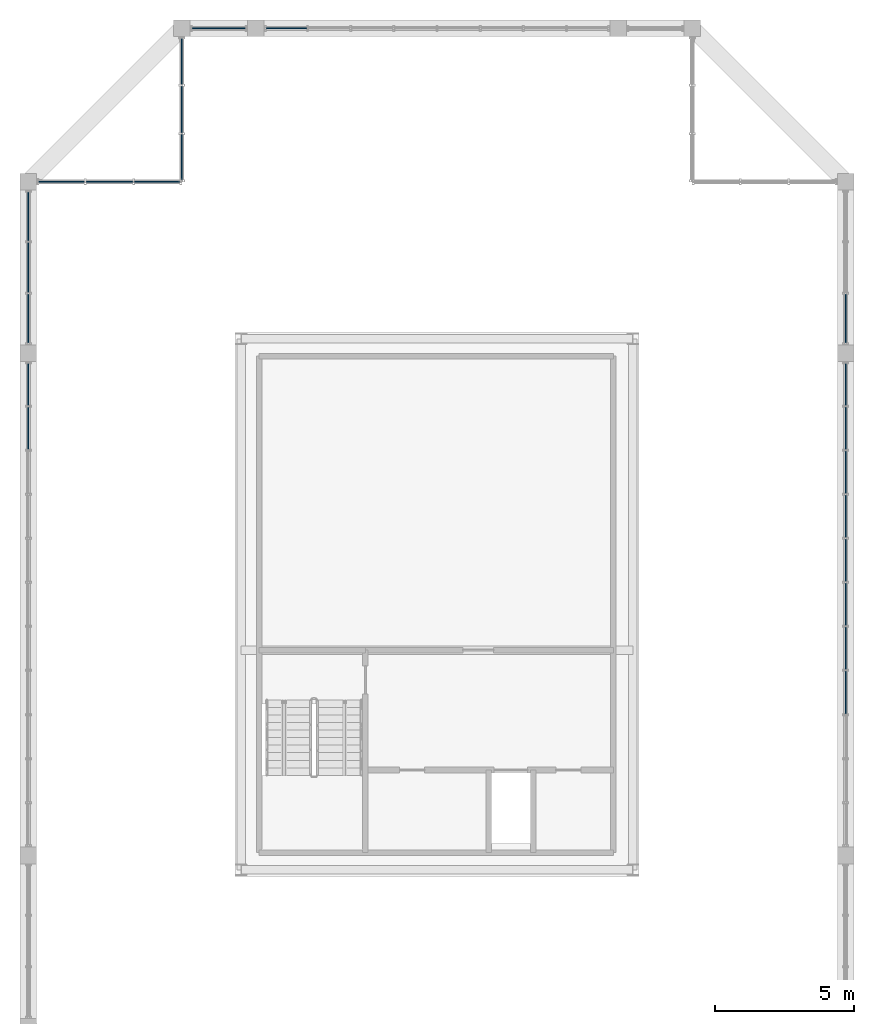
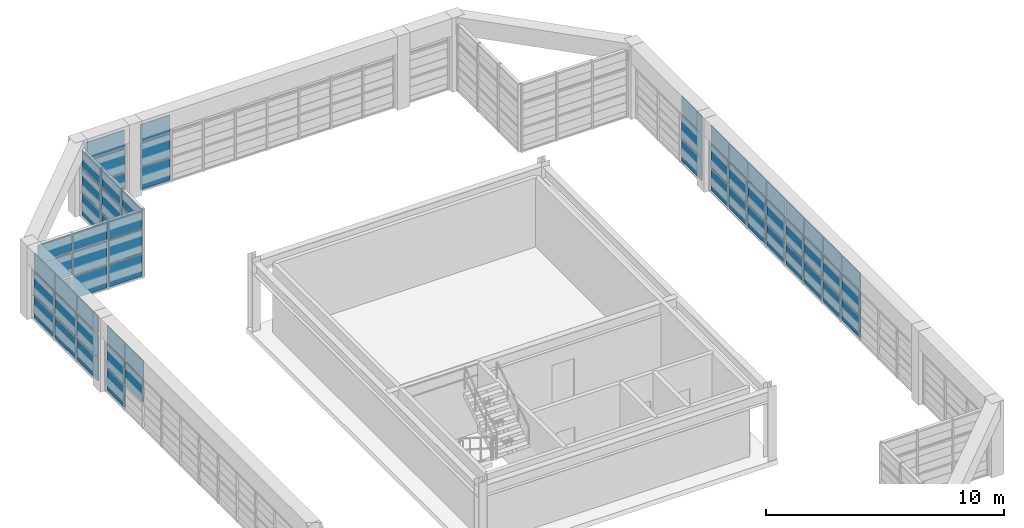
# One storey, part 22 of 27: 65 plates, 8 elements without a shape of their own.
"""IFC4 building model written with IfcOpenShell, lengths in metres."""

from ifc_helpers import new_model, si_unit, direction, frame, origin, origin_2d, place, context, subcontext, project, spatial, rectangle, extrude, source, transform, mapped, material, layer, layer_set, type_object, element, aggregate, save


model = new_model("IFC4")

# Units and contexts
model_context = context("Model", 3, precision=1e-05, world=origin(), true_north=direction((0.0, 1.0)))
body_context = subcontext(model_context, "Body", "Model", "MODEL_VIEW")
ifc_project = project(units=[si_unit("LENGTHUNIT", "METRE"), si_unit("AREAUNIT", "SQUARE_METRE"), si_unit("VOLUMEUNIT", "CUBIC_METRE"), si_unit("PLANEANGLEUNIT", "RADIAN"), si_unit("MASSUNIT", "GRAM", prefix="KILO")], contexts=[model_context])

# Site, building, storey
site_placement = place(None, origin())
site = spatial("IfcSite", under=ifc_project, at=site_placement, CompositionType="ELEMENT")
building_placement = place(site_placement, origin())
building = spatial("IfcBuilding", under=site, at=building_placement, Name="Saelheon Loggia Tower", CompositionType="ELEMENT")
storey_placement = place(building_placement, frame((0.0, 0.0, 256.0)))
storey = spatial("IfcBuildingStorey", under=building, at=storey_placement, Name="CR2", CompositionType="ELEMENT", Elevation=256.0)

# Curtain wall, plates
ifc_material_1 = material(Name="Bronze-Anodised Aluminium and Fritted Ceramic Screen", Category="aluminium")
ifc_layer_1 = layer(ifc_material_1, 0.219970703125)
ifc_layer_set_1 = layer_set([ifc_layer_1], Name="Bronze-Anodised Aluminium and Fritted Ceramic Screen")
curtain_wall_type = type_object("IfcCurtainWallType", Name="CW_CrownScreen", PredefinedType="NOTDEFINED", material=ifc_layer_set_1)
curtain_wall_1_placement = place(storey_placement, origin())
curtain_wall_1 = element("IfcCurtainWall", 1, at=curtain_wall_1_placement, inside=storey, type_object=curtain_wall_type, Name="CR2 Crown Screen Curtain Wall 6-3", PredefinedType="NOTDEFINED")
ifc_material_2 = material(Name="Bronze Ceramic Fritted Spandrel Panel", Category="aluminium")
ifc_layer_2 = layer(ifc_material_2, 0.0380859375)
ifc_layer_set_2 = layer_set([ifc_layer_2], Name="Bronze Ceramic Fritted Spandrel Panel")
plate_type = type_object("IfcPlateType", Name="CW_CrownScreen_Panel", PredefinedType="CURTAIN_PANEL", material=ifc_layer_set_2)
shared_shape_1 = source(origin(), body_context, "Body", "SweptSolid", [
    extrude(rectangle(XDim=1.889892578125, YDim=0.0380859375, at=origin_2d()), origin(), (0.0, 0.0, 1.0), 1.14501953125),
])
plate_1_placement = place(storey_placement, frame((30.175048828125, 47.64990234375, 0.070068359375), z_axis=(0.0, 0.0, 1.0), x_axis=(-1.0, 0.0, 0.0)))
plate_1 = element("IfcPlate", 2, at=plate_1_placement, type_object=plate_type, Name="CW6 panel 1.1", PredefinedType="CURTAIN_PANEL", context=body_context, shape_type="MappedRepresentation", body=[
    mapped(shared_shape_1, transform((0.0, 0.0, 0.0), scale=1.0)),
])
shared_shape_2 = source(origin(), body_context, "Body", "SweptSolid", [
    extrude(rectangle(XDim=1.889892578125, YDim=0.0380859375, at=origin_2d()), origin(), (0.0, 0.0, 1.0), 1.179931640625),
])
plate_2_placement = place(storey_placement, frame((30.175048828125, 47.64990234375, 1.28515625), z_axis=(0.0, 0.0, 1.0), x_axis=(-1.0, 0.0, 0.0)))
plate_2 = element("IfcPlate", 3, at=plate_2_placement, type_object=plate_type, Name="CW6 panel 1.2", PredefinedType="CURTAIN_PANEL", context=body_context, shape_type="MappedRepresentation", body=[
    mapped(shared_shape_2, transform((0.0, 0.0, 0.0), scale=1.0)),
])
shared_shape_3 = source(origin(), body_context, "Body", "SweptSolid", [
    extrude(rectangle(XDim=1.889892578125, YDim=0.0380859375, at=origin_2d()), origin(), (0.0, 0.0, 1.0), 0.875),
])
plate_3_placement = place(storey_placement, frame((30.175048828125, 47.64990234375, 2.534912109375), z_axis=(0.0, 0.0, 1.0), x_axis=(-1.0, 0.0, 0.0)))
plate_3 = element("IfcPlate", 4, at=plate_3_placement, type_object=plate_type, Name="CW6 panel 1.3", PredefinedType="CURTAIN_PANEL", context=body_context, shape_type="MappedRepresentation", body=[
    mapped(shared_shape_3, transform((0.0, 0.0, 0.0), scale=1.0)),
])
aggregate(curtain_wall_1, [plate_1, plate_2, plate_3])

curtain_wall_2_placement = place(storey_placement, origin())
curtain_wall_2 = element("IfcCurtainWall", 5, at=curtain_wall_2_placement, inside=storey, type_object=curtain_wall_type, Name="CR2 Crown Screen Curtain Wall 6-2", PredefinedType="NOTDEFINED")
shared_shape_4 = source(origin(), body_context, "Body", "SweptSolid", [
    extrude(rectangle(XDim=1.4423828125, YDim=0.0380859375, at=origin_2d()), origin(), (0.0, 0.0, 1.0), 1.14501953125),
])
plate_4_placement = place(storey_placement, frame((32.601318359375, 47.64990234375, 0.070068359375), z_axis=(0.0, 0.0, 1.0), x_axis=(-1.0, 0.0, 0.0)))
plate_4 = element("IfcPlate", 6, at=plate_4_placement, type_object=plate_type, Name="CW6 panel 8.1", PredefinedType="CURTAIN_PANEL", context=body_context, shape_type="MappedRepresentation", body=[
    mapped(shared_shape_4, transform((0.0, 0.0, 0.0), scale=1.0)),
])
shared_shape_5 = source(origin(), body_context, "Body", "SweptSolid", [
    extrude(rectangle(XDim=1.4423828125, YDim=0.0380859375, at=origin_2d()), origin(), (0.0, 0.0, 1.0), 1.179931640625),
])
plate_5_placement = place(storey_placement, frame((32.601318359375, 47.64990234375, 1.28515625), z_axis=(0.0, 0.0, 1.0), x_axis=(-1.0, 0.0, 0.0)))
plate_5 = element("IfcPlate", 7, at=plate_5_placement, type_object=plate_type, Name="CW6 panel 8.2", PredefinedType="CURTAIN_PANEL", context=body_context, shape_type="MappedRepresentation", body=[
    mapped(shared_shape_5, transform((0.0, 0.0, 0.0), scale=1.0)),
])
shared_shape_6 = source(origin(), body_context, "Body", "SweptSolid", [
    extrude(rectangle(XDim=1.4423828125, YDim=0.0380859375, at=origin_2d()), origin(), (0.0, 0.0, 1.0), 0.875),
])
plate_6_placement = place(storey_placement, frame((32.601318359375, 47.64990234375, 2.534912109375), z_axis=(0.0, 0.0, 1.0), x_axis=(-1.0, 0.0, 0.0)))
plate_6 = element("IfcPlate", 8, at=plate_6_placement, type_object=plate_type, Name="CW6 panel 8.3", PredefinedType="CURTAIN_PANEL", context=body_context, shape_type="MappedRepresentation", body=[
    mapped(shared_shape_6, transform((0.0, 0.0, 0.0), scale=1.0)),
])
aggregate(curtain_wall_2, [plate_4, plate_5, plate_6])

curtain_wall_3_placement = place(storey_placement, origin())
curtain_wall_3 = element("IfcCurtainWall", 9, at=curtain_wall_3_placement, inside=storey, type_object=curtain_wall_type, Name="CR2 Crown Screen Curtain Wall 7-1", PredefinedType="NOTDEFINED")
shared_shape_7 = source(origin(), body_context, "Body", "SweptSolid", [
    extrude(rectangle(XDim=1.625, YDim=0.0380859375, at=origin_2d()), origin(), (0.0, 0.0, 1.0), 1.14501953125),
])
plate_7_placement = place(storey_placement, frame((28.85009765625, 46.45751953125, 0.070068359375), z_axis=(0.0, 0.0, 1.0), x_axis=(0.0, -1.0, 0.0)))
plate_7 = element("IfcPlate", 10, at=plate_7_placement, type_object=plate_type, Name="CW6 panel 1.1", PredefinedType="CURTAIN_PANEL", context=body_context, shape_type="MappedRepresentation", body=[
    mapped(shared_shape_7, transform((0.0, 0.0, 0.0), scale=1.0)),
])
plate_8_placement = place(storey_placement, frame((28.85009765625, 43.032470703125, 0.070068359375), z_axis=(0.0, 0.0, 1.0), x_axis=(0.0, -1.0, 0.0)))
plate_8 = element("IfcPlate", 11, at=plate_8_placement, type_object=plate_type, Name="CW6 panel 3.1", PredefinedType="CURTAIN_PANEL", context=body_context, shape_type="MappedRepresentation", body=[
    mapped(shared_shape_7, transform((0.0, 0.0, 0.0), scale=1.0)),
])

curtain_wall_4_placement = place(storey_placement, origin())
curtain_wall_4 = element("IfcCurtainWall", 12, at=curtain_wall_4_placement, inside=storey, type_object=curtain_wall_type, Name="CR2 Crown Screen Curtain Wall 8-1", PredefinedType="NOTDEFINED")
plate_9_placement = place(storey_placement, frame((27.967529296875, 42.14990234375, 0.070068359375), z_axis=(0.0, 0.0, 1.0), x_axis=(-1.0, 0.0, 0.0)))
plate_9 = element("IfcPlate", 13, at=plate_9_placement, type_object=plate_type, Name="CW6 panel 1.1", PredefinedType="CURTAIN_PANEL", context=body_context, shape_type="MappedRepresentation", body=[
    mapped(shared_shape_7, transform((0.0, 0.0, 0.0), scale=1.0)),
])
plate_10_placement = place(storey_placement, frame((24.54248046875, 42.14990234375, 0.070068359375), z_axis=(0.0, 0.0, 1.0), x_axis=(-1.0, 0.0, 0.0)))
plate_10 = element("IfcPlate", 14, at=plate_10_placement, type_object=plate_type, Name="CW6 panel 3.1", PredefinedType="CURTAIN_PANEL", context=body_context, shape_type="MappedRepresentation", body=[
    mapped(shared_shape_7, transform((0.0, 0.0, 0.0), scale=1.0)),
])

# Plate
shared_shape_8 = source(origin(), body_context, "Body", "SweptSolid", [
    extrude(rectangle(XDim=1.625, YDim=0.0380859375, at=origin_2d()), origin(), (0.0, 0.0, 1.0), 1.179931640625),
])
plate_11_placement = place(storey_placement, frame((28.85009765625, 46.45751953125, 1.28515625), z_axis=(0.0, 0.0, 1.0), x_axis=(0.0, -1.0, 0.0)))
plate_11 = element("IfcPlate", 15, at=plate_11_placement, type_object=plate_type, Name="CW6 panel 1.2", PredefinedType="CURTAIN_PANEL", context=body_context, shape_type="MappedRepresentation", body=[
    mapped(shared_shape_8, transform((0.0, 0.0, 0.0), scale=1.0)),
])

plate_12_placement = place(storey_placement, frame((28.85009765625, 43.032470703125, 1.28515625), z_axis=(0.0, 0.0, 1.0), x_axis=(0.0, -1.0, 0.0)))
plate_12 = element("IfcPlate", 16, at=plate_12_placement, type_object=plate_type, Name="CW6 panel 3.2", PredefinedType="CURTAIN_PANEL", context=body_context, shape_type="MappedRepresentation", body=[
    mapped(shared_shape_8, transform((0.0, 0.0, 0.0), scale=1.0)),
])

plate_13_placement = place(storey_placement, frame((27.967529296875, 42.14990234375, 1.28515625), z_axis=(0.0, 0.0, 1.0), x_axis=(-1.0, 0.0, 0.0)))
plate_13 = element("IfcPlate", 17, at=plate_13_placement, type_object=plate_type, Name="CW6 panel 1.2", PredefinedType="CURTAIN_PANEL", context=body_context, shape_type="MappedRepresentation", body=[
    mapped(shared_shape_8, transform((0.0, 0.0, 0.0), scale=1.0)),
])

plate_14_placement = place(storey_placement, frame((24.54248046875, 42.14990234375, 1.28515625), z_axis=(0.0, 0.0, 1.0), x_axis=(-1.0, 0.0, 0.0)))
plate_14 = element("IfcPlate", 18, at=plate_14_placement, type_object=plate_type, Name="CW6 panel 3.2", PredefinedType="CURTAIN_PANEL", context=body_context, shape_type="MappedRepresentation", body=[
    mapped(shared_shape_8, transform((0.0, 0.0, 0.0), scale=1.0)),
])

shared_shape_9 = source(origin(), body_context, "Body", "SweptSolid", [
    extrude(rectangle(XDim=1.625, YDim=0.0380859375, at=origin_2d()), origin(), (0.0, 0.0, 1.0), 0.875),
])
plate_15_placement = place(storey_placement, frame((28.85009765625, 46.45751953125, 2.534912109375), z_axis=(0.0, 0.0, 1.0), x_axis=(0.0, -1.0, 0.0)))
plate_15 = element("IfcPlate", 19, at=plate_15_placement, type_object=plate_type, Name="CW6 panel 1.3", PredefinedType="CURTAIN_PANEL", context=body_context, shape_type="MappedRepresentation", body=[
    mapped(shared_shape_9, transform((0.0, 0.0, 0.0), scale=1.0)),
])

plate_16_placement = place(storey_placement, frame((28.85009765625, 43.032470703125, 2.534912109375), z_axis=(0.0, 0.0, 1.0), x_axis=(0.0, -1.0, 0.0)))
plate_16 = element("IfcPlate", 20, at=plate_16_placement, type_object=plate_type, Name="CW6 panel 3.3", PredefinedType="CURTAIN_PANEL", context=body_context, shape_type="MappedRepresentation", body=[
    mapped(shared_shape_9, transform((0.0, 0.0, 0.0), scale=1.0)),
])

plate_17_placement = place(storey_placement, frame((27.967529296875, 42.14990234375, 2.534912109375), z_axis=(0.0, 0.0, 1.0), x_axis=(-1.0, 0.0, 0.0)))
plate_17 = element("IfcPlate", 21, at=plate_17_placement, type_object=plate_type, Name="CW6 panel 1.3", PredefinedType="CURTAIN_PANEL", context=body_context, shape_type="MappedRepresentation", body=[
    mapped(shared_shape_9, transform((0.0, 0.0, 0.0), scale=1.0)),
])

plate_18_placement = place(storey_placement, frame((24.54248046875, 42.14990234375, 2.534912109375), z_axis=(0.0, 0.0, 1.0), x_axis=(-1.0, 0.0, 0.0)))
plate_18 = element("IfcPlate", 22, at=plate_18_placement, type_object=plate_type, Name="CW6 panel 3.3", PredefinedType="CURTAIN_PANEL", context=body_context, shape_type="MappedRepresentation", body=[
    mapped(shared_shape_9, transform((0.0, 0.0, 0.0), scale=1.0)),
])

shared_shape_10 = source(origin(), body_context, "Body", "SweptSolid", [
    extrude(rectangle(XDim=1.659912109375, YDim=0.0380859375, at=origin_2d()), origin(), (0.0, 0.0, 1.0), 1.14501953125),
])
plate_19_placement = place(storey_placement, frame((28.85009765625, 44.7451171875, 0.070068359375), z_axis=(0.0, 0.0, 1.0), x_axis=(0.0, -1.0, 0.0)))
plate_19 = element("IfcPlate", 23, at=plate_19_placement, type_object=plate_type, Name="CW6 panel 2.1", PredefinedType="CURTAIN_PANEL", context=body_context, shape_type="MappedRepresentation", body=[
    mapped(shared_shape_10, transform((0.0, 0.0, 0.0), scale=1.0)),
])

plate_20_placement = place(storey_placement, frame((26.2548828125, 42.14990234375, 0.070068359375), z_axis=(0.0, 0.0, 1.0), x_axis=(-1.0, 0.0, 0.0)))
plate_20 = element("IfcPlate", 24, at=plate_20_placement, type_object=plate_type, Name="CW6 panel 2.1", PredefinedType="CURTAIN_PANEL", context=body_context, shape_type="MappedRepresentation", body=[
    mapped(shared_shape_10, transform((0.0, 0.0, 0.0), scale=1.0)),
])

shared_shape_11 = source(origin(), body_context, "Body", "SweptSolid", [
    extrude(rectangle(XDim=1.659912109375, YDim=0.0380859375, at=origin_2d()), origin(), (0.0, 0.0, 1.0), 1.179931640625),
])
plate_21_placement = place(storey_placement, frame((28.85009765625, 44.7451171875, 1.28515625), z_axis=(0.0, 0.0, 1.0), x_axis=(0.0, -1.0, 0.0)))
plate_21 = element("IfcPlate", 25, at=plate_21_placement, type_object=plate_type, Name="CW6 panel 2.2", PredefinedType="CURTAIN_PANEL", context=body_context, shape_type="MappedRepresentation", body=[
    mapped(shared_shape_11, transform((0.0, 0.0, 0.0), scale=1.0)),
])

plate_22_placement = place(storey_placement, frame((26.2548828125, 42.14990234375, 1.28515625), z_axis=(0.0, 0.0, 1.0), x_axis=(-1.0, 0.0, 0.0)))
plate_22 = element("IfcPlate", 26, at=plate_22_placement, type_object=plate_type, Name="CW6 panel 2.2", PredefinedType="CURTAIN_PANEL", context=body_context, shape_type="MappedRepresentation", body=[
    mapped(shared_shape_11, transform((0.0, 0.0, 0.0), scale=1.0)),
])

shared_shape_12 = source(origin(), body_context, "Body", "SweptSolid", [
    extrude(rectangle(XDim=1.659912109375, YDim=0.0380859375, at=origin_2d()), origin(), (0.0, 0.0, 1.0), 0.875),
])
plate_23_placement = place(storey_placement, frame((28.85009765625, 44.7451171875, 2.534912109375), z_axis=(0.0, 0.0, 1.0), x_axis=(0.0, -1.0, 0.0)))
plate_23 = element("IfcPlate", 27, at=plate_23_placement, type_object=plate_type, Name="CW6 panel 2.3", PredefinedType="CURTAIN_PANEL", context=body_context, shape_type="MappedRepresentation", body=[
    mapped(shared_shape_12, transform((0.0, 0.0, 0.0), scale=1.0)),
])

aggregate(curtain_wall_3, [plate_7, plate_11, plate_15, plate_19, plate_21, plate_23, plate_8, plate_12, plate_16])

plate_24_placement = place(storey_placement, frame((26.2548828125, 42.14990234375, 2.534912109375), z_axis=(0.0, 0.0, 1.0), x_axis=(-1.0, 0.0, 0.0)))
plate_24 = element("IfcPlate", 28, at=plate_24_placement, type_object=plate_type, Name="CW6 panel 2.3", PredefinedType="CURTAIN_PANEL", context=body_context, shape_type="MappedRepresentation", body=[
    mapped(shared_shape_12, transform((0.0, 0.0, 0.0), scale=1.0)),
])

aggregate(curtain_wall_4, [plate_9, plate_13, plate_17, plate_20, plate_22, plate_24, plate_10, plate_14, plate_18])

# Curtain wall, plate
curtain_wall_5_placement = place(storey_placement, origin())
curtain_wall_5 = element("IfcCurtainWall", 29, at=curtain_wall_5_placement, inside=storey, type_object=curtain_wall_type, Name="CR2 Crown Screen Curtain Wall 3-3", PredefinedType="NOTDEFINED")
shared_shape_13 = source(origin(), body_context, "Body", "SweptSolid", [
    extrude(rectangle(XDim=1.73828125, YDim=0.0380859375, at=origin_2d()), origin(), (0.0, 0.0, 1.0), 1.14501953125),
])
plate_25_placement = place(storey_placement, frame((52.64990234375, 37.249267578125, 0.070068359375), z_axis=(0.0, 0.0, 1.0), x_axis=(0.0, 1.0, 0.0)))
plate_25 = element("IfcPlate", 30, at=plate_25_placement, type_object=plate_type, Name="CW6 panel 1.1", PredefinedType="CURTAIN_PANEL", context=body_context, shape_type="MappedRepresentation", body=[
    mapped(shared_shape_13, transform((0.0, 0.0, 0.0), scale=1.0)),
])

# Curtain wall, plates
curtain_wall_6_placement = place(storey_placement, origin())
curtain_wall_6 = element("IfcCurtainWall", 31, at=curtain_wall_6_placement, inside=storey, type_object=curtain_wall_type, Name="CR2 Crown Screen Curtain Wall 9-1", PredefinedType="NOTDEFINED")
plate_26_placement = place(storey_placement, frame((23.35009765625, 40.90087890625, 0.070068359375), z_axis=(0.0, 0.0, 1.0), x_axis=(0.0, -1.0, 0.0)))
plate_26 = element("IfcPlate", 32, at=plate_26_placement, type_object=plate_type, Name="CW6 panel 1.1", PredefinedType="CURTAIN_PANEL", context=body_context, shape_type="MappedRepresentation", body=[
    mapped(shared_shape_13, transform((0.0, 0.0, 0.0), scale=1.0)),
])
plate_27_placement = place(storey_placement, frame((23.35009765625, 37.249267578125, 0.070068359375), z_axis=(0.0, 0.0, 1.0), x_axis=(0.0, -1.0, 0.0)))
plate_27 = element("IfcPlate", 33, at=plate_27_placement, type_object=plate_type, Name="CW6 panel 3.1", PredefinedType="CURTAIN_PANEL", context=body_context, shape_type="MappedRepresentation", body=[
    mapped(shared_shape_13, transform((0.0, 0.0, 0.0), scale=1.0)),
])

# Plate
shared_shape_14 = source(origin(), body_context, "Body", "SweptSolid", [
    extrude(rectangle(XDim=1.73828125, YDim=0.0380859375, at=origin_2d()), origin(), (0.0, 0.0, 1.0), 1.179931640625),
])
plate_28_placement = place(storey_placement, frame((52.64990234375, 37.249267578125, 1.28515625), z_axis=(0.0, 0.0, 1.0), x_axis=(0.0, 1.0, 0.0)))
plate_28 = element("IfcPlate", 34, at=plate_28_placement, type_object=plate_type, Name="CW6 panel 1.2", PredefinedType="CURTAIN_PANEL", context=body_context, shape_type="MappedRepresentation", body=[
    mapped(shared_shape_14, transform((0.0, 0.0, 0.0), scale=1.0)),
])

plate_29_placement = place(storey_placement, frame((23.35009765625, 40.90087890625, 1.28515625), z_axis=(0.0, 0.0, 1.0), x_axis=(0.0, -1.0, 0.0)))
plate_29 = element("IfcPlate", 35, at=plate_29_placement, type_object=plate_type, Name="CW6 panel 1.2", PredefinedType="CURTAIN_PANEL", context=body_context, shape_type="MappedRepresentation", body=[
    mapped(shared_shape_14, transform((0.0, 0.0, 0.0), scale=1.0)),
])

plate_30_placement = place(storey_placement, frame((23.35009765625, 37.249267578125, 1.28515625), z_axis=(0.0, 0.0, 1.0), x_axis=(0.0, -1.0, 0.0)))
plate_30 = element("IfcPlate", 36, at=plate_30_placement, type_object=plate_type, Name="CW6 panel 3.2", PredefinedType="CURTAIN_PANEL", context=body_context, shape_type="MappedRepresentation", body=[
    mapped(shared_shape_14, transform((0.0, 0.0, 0.0), scale=1.0)),
])

shared_shape_15 = source(origin(), body_context, "Body", "SweptSolid", [
    extrude(rectangle(XDim=1.73828125, YDim=0.0380859375, at=origin_2d()), origin(), (0.0, 0.0, 1.0), 0.875),
])
plate_31_placement = place(storey_placement, frame((52.64990234375, 37.249267578125, 2.534912109375), z_axis=(0.0, 0.0, 1.0), x_axis=(0.0, 1.0, 0.0)))
plate_31 = element("IfcPlate", 37, at=plate_31_placement, type_object=plate_type, Name="CW6 panel 1.3", PredefinedType="CURTAIN_PANEL", context=body_context, shape_type="MappedRepresentation", body=[
    mapped(shared_shape_15, transform((0.0, 0.0, 0.0), scale=1.0)),
])

aggregate(curtain_wall_5, [plate_25, plate_28, plate_31])

plate_32_placement = place(storey_placement, frame((23.35009765625, 40.90087890625, 2.534912109375), z_axis=(0.0, 0.0, 1.0), x_axis=(0.0, -1.0, 0.0)))
plate_32 = element("IfcPlate", 38, at=plate_32_placement, type_object=plate_type, Name="CW6 panel 1.3", PredefinedType="CURTAIN_PANEL", context=body_context, shape_type="MappedRepresentation", body=[
    mapped(shared_shape_15, transform((0.0, 0.0, 0.0), scale=1.0)),
])

plate_33_placement = place(storey_placement, frame((23.35009765625, 37.249267578125, 2.534912109375), z_axis=(0.0, 0.0, 1.0), x_axis=(0.0, -1.0, 0.0)))
plate_33 = element("IfcPlate", 39, at=plate_33_placement, type_object=plate_type, Name="CW6 panel 3.3", PredefinedType="CURTAIN_PANEL", context=body_context, shape_type="MappedRepresentation", body=[
    mapped(shared_shape_15, transform((0.0, 0.0, 0.0), scale=1.0)),
])

shared_shape_16 = source(origin(), body_context, "Body", "SweptSolid", [
    extrude(rectangle(XDim=1.7734375, YDim=0.0380859375, at=origin_2d()), origin(), (0.0, 0.0, 1.0), 1.14501953125),
])
plate_34_placement = place(storey_placement, frame((23.35009765625, 39.074951171875, 0.070068359375), z_axis=(0.0, 0.0, 1.0), x_axis=(0.0, -1.0, 0.0)))
plate_34 = element("IfcPlate", 40, at=plate_34_placement, type_object=plate_type, Name="CW6 panel 2.1", PredefinedType="CURTAIN_PANEL", context=body_context, shape_type="MappedRepresentation", body=[
    mapped(shared_shape_16, transform((0.0, 0.0, 0.0), scale=1.0)),
])

shared_shape_17 = source(origin(), body_context, "Body", "SweptSolid", [
    extrude(rectangle(XDim=1.7734375, YDim=0.0380859375, at=origin_2d()), origin(), (0.0, 0.0, 1.0), 1.179931640625),
])
plate_35_placement = place(storey_placement, frame((23.35009765625, 39.074951171875, 1.28515625), z_axis=(0.0, 0.0, 1.0), x_axis=(0.0, -1.0, 0.0)))
plate_35 = element("IfcPlate", 41, at=plate_35_placement, type_object=plate_type, Name="CW6 panel 2.2", PredefinedType="CURTAIN_PANEL", context=body_context, shape_type="MappedRepresentation", body=[
    mapped(shared_shape_17, transform((0.0, 0.0, 0.0), scale=1.0)),
])

shared_shape_18 = source(origin(), body_context, "Body", "SweptSolid", [
    extrude(rectangle(XDim=1.7734375, YDim=0.0380859375, at=origin_2d()), origin(), (0.0, 0.0, 1.0), 0.875),
])
plate_36_placement = place(storey_placement, frame((23.35009765625, 39.074951171875, 2.534912109375), z_axis=(0.0, 0.0, 1.0), x_axis=(0.0, -1.0, 0.0)))
plate_36 = element("IfcPlate", 42, at=plate_36_placement, type_object=plate_type, Name="CW6 panel 2.3", PredefinedType="CURTAIN_PANEL", context=body_context, shape_type="MappedRepresentation", body=[
    mapped(shared_shape_18, transform((0.0, 0.0, 0.0), scale=1.0)),
])

aggregate(curtain_wall_6, [plate_26, plate_29, plate_32, plate_34, plate_35, plate_36, plate_27, plate_30, plate_33])

# Curtain wall, plate
curtain_wall_7_placement = place(storey_placement, origin())
curtain_wall_7 = element("IfcCurtainWall", 43, at=curtain_wall_7_placement, inside=storey, type_object=curtain_wall_type, Name="CR2 Crown Screen Curtain Wall 3-2", PredefinedType="NOTDEFINED")
shared_shape_19 = source(origin(), body_context, "Body", "SweptSolid", [
    extrude(rectangle(XDim=1.47509765625, YDim=0.0380859375, at=origin_2d()), origin(), (0.0, 0.0, 1.0), 1.14501953125),
])
plate_37_placement = place(storey_placement, frame((52.64990234375, 34.882568359375, 0.070068359375), z_axis=(0.0, 0.0, 1.0), x_axis=(0.0, 1.0, 0.0)))
plate_37 = element("IfcPlate", 44, at=plate_37_placement, type_object=plate_type, Name="CW6 panel 11.1", PredefinedType="CURTAIN_PANEL", context=body_context, shape_type="MappedRepresentation", body=[
    mapped(shared_shape_19, transform((0.0, 0.0, 0.0), scale=1.0)),
])

curtain_wall_8_placement = place(storey_placement, origin())
curtain_wall_8 = element("IfcCurtainWall", 45, at=curtain_wall_8_placement, inside=storey, type_object=curtain_wall_type, Name="CR2 Crown Screen Curtain Wall 9-2", PredefinedType="NOTDEFINED")
plate_38_placement = place(storey_placement, frame((23.35009765625, 34.882568359375, 0.070068359375), z_axis=(0.0, 0.0, 1.0), x_axis=(0.0, -1.0, 0.0)))
plate_38 = element("IfcPlate", 46, at=plate_38_placement, type_object=plate_type, Name="CW6 panel 1.1", PredefinedType="CURTAIN_PANEL", context=body_context, shape_type="MappedRepresentation", body=[
    mapped(shared_shape_19, transform((0.0, 0.0, 0.0), scale=1.0)),
])

# Plate
shared_shape_20 = source(origin(), body_context, "Body", "SweptSolid", [
    extrude(rectangle(XDim=1.47509765625, YDim=0.0380859375, at=origin_2d()), origin(), (0.0, 0.0, 1.0), 1.179931640625),
])
plate_39_placement = place(storey_placement, frame((52.64990234375, 34.882568359375, 1.28515625), z_axis=(0.0, 0.0, 1.0), x_axis=(0.0, 1.0, 0.0)))
plate_39 = element("IfcPlate", 47, at=plate_39_placement, type_object=plate_type, Name="CW6 panel 11.2", PredefinedType="CURTAIN_PANEL", context=body_context, shape_type="MappedRepresentation", body=[
    mapped(shared_shape_20, transform((0.0, 0.0, 0.0), scale=1.0)),
])

plate_40_placement = place(storey_placement, frame((23.35009765625, 34.882568359375, 1.28515625), z_axis=(0.0, 0.0, 1.0), x_axis=(0.0, -1.0, 0.0)))
plate_40 = element("IfcPlate", 48, at=plate_40_placement, type_object=plate_type, Name="CW6 panel 1.2", PredefinedType="CURTAIN_PANEL", context=body_context, shape_type="MappedRepresentation", body=[
    mapped(shared_shape_20, transform((0.0, 0.0, 0.0), scale=1.0)),
])

shared_shape_21 = source(origin(), body_context, "Body", "SweptSolid", [
    extrude(rectangle(XDim=1.47509765625, YDim=0.0380859375, at=origin_2d()), origin(), (0.0, 0.0, 1.0), 0.875),
])
plate_41_placement = place(storey_placement, frame((52.64990234375, 34.882568359375, 2.534912109375), z_axis=(0.0, 0.0, 1.0), x_axis=(0.0, 1.0, 0.0)))
plate_41 = element("IfcPlate", 49, at=plate_41_placement, type_object=plate_type, Name="CW6 panel 11.3", PredefinedType="CURTAIN_PANEL", context=body_context, shape_type="MappedRepresentation", body=[
    mapped(shared_shape_21, transform((0.0, 0.0, 0.0), scale=1.0)),
])

plate_42_placement = place(storey_placement, frame((23.35009765625, 34.882568359375, 2.534912109375), z_axis=(0.0, 0.0, 1.0), x_axis=(0.0, -1.0, 0.0)))
plate_42 = element("IfcPlate", 50, at=plate_42_placement, type_object=plate_type, Name="CW6 panel 1.3", PredefinedType="CURTAIN_PANEL", context=body_context, shape_type="MappedRepresentation", body=[
    mapped(shared_shape_21, transform((0.0, 0.0, 0.0), scale=1.0)),
])

shared_shape_22 = source(origin(), body_context, "Body", "SweptSolid", [
    extrude(rectangle(XDim=1.510009765625, YDim=0.0380859375, at=origin_2d()), origin(), (0.0, 0.0, 1.0), 1.14501953125),
])
plate_43_placement = place(storey_placement, frame((52.64990234375, 23.840087890625, 0.070068359375), z_axis=(0.0, 0.0, 1.0), x_axis=(0.0, 1.0, 0.0)))
plate_43 = element("IfcPlate", 51, at=plate_43_placement, type_object=plate_type, Name="CW6 panel 4.1", PredefinedType="CURTAIN_PANEL", context=body_context, shape_type="MappedRepresentation", body=[
    mapped(shared_shape_22, transform((0.0, 0.0, 0.0), scale=1.0)),
])

plate_44_placement = place(storey_placement, frame((52.64990234375, 25.419921875, 0.070068359375), z_axis=(0.0, 0.0, 1.0), x_axis=(0.0, 1.0, 0.0)))
plate_44 = element("IfcPlate", 52, at=plate_44_placement, type_object=plate_type, Name="CW6 panel 5.1", PredefinedType="CURTAIN_PANEL", context=body_context, shape_type="MappedRepresentation", body=[
    mapped(shared_shape_22, transform((0.0, 0.0, 0.0), scale=1.0)),
])

plate_45_placement = place(storey_placement, frame((52.64990234375, 27.0, 0.070068359375), z_axis=(0.0, 0.0, 1.0), x_axis=(0.0, 1.0, 0.0)))
plate_45 = element("IfcPlate", 53, at=plate_45_placement, type_object=plate_type, Name="CW6 panel 6.1", PredefinedType="CURTAIN_PANEL", context=body_context, shape_type="MappedRepresentation", body=[
    mapped(shared_shape_22, transform((0.0, 0.0, 0.0), scale=1.0)),
])

plate_46_placement = place(storey_placement, frame((52.64990234375, 28.580078125, 0.070068359375), z_axis=(0.0, 0.0, 1.0), x_axis=(0.0, 1.0, 0.0)))
plate_46 = element("IfcPlate", 54, at=plate_46_placement, type_object=plate_type, Name="CW6 panel 7.1", PredefinedType="CURTAIN_PANEL", context=body_context, shape_type="MappedRepresentation", body=[
    mapped(shared_shape_22, transform((0.0, 0.0, 0.0), scale=1.0)),
])

plate_47_placement = place(storey_placement, frame((52.64990234375, 30.159912109375, 0.070068359375), z_axis=(0.0, 0.0, 1.0), x_axis=(0.0, 1.0, 0.0)))
plate_47 = element("IfcPlate", 55, at=plate_47_placement, type_object=plate_type, Name="CW6 panel 8.1", PredefinedType="CURTAIN_PANEL", context=body_context, shape_type="MappedRepresentation", body=[
    mapped(shared_shape_22, transform((0.0, 0.0, 0.0), scale=1.0)),
])

plate_48_placement = place(storey_placement, frame((52.64990234375, 31.739990234375, 0.070068359375), z_axis=(0.0, 0.0, 1.0), x_axis=(0.0, 1.0, 0.0)))
plate_48 = element("IfcPlate", 56, at=plate_48_placement, type_object=plate_type, Name="CW6 panel 9.1", PredefinedType="CURTAIN_PANEL", context=body_context, shape_type="MappedRepresentation", body=[
    mapped(shared_shape_22, transform((0.0, 0.0, 0.0), scale=1.0)),
])

plate_49_placement = place(storey_placement, frame((52.64990234375, 33.320068359375, 0.070068359375), z_axis=(0.0, 0.0, 1.0), x_axis=(0.0, 1.0, 0.0)))
plate_49 = element("IfcPlate", 57, at=plate_49_placement, type_object=plate_type, Name="CW6 panel 10.1", PredefinedType="CURTAIN_PANEL", context=body_context, shape_type="MappedRepresentation", body=[
    mapped(shared_shape_22, transform((0.0, 0.0, 0.0), scale=1.0)),
])

shared_shape_23 = source(origin(), body_context, "Body", "SweptSolid", [
    extrude(rectangle(XDim=1.510009765625, YDim=0.0380859375, at=origin_2d()), origin(), (0.0, 0.0, 1.0), 1.179931640625),
])
plate_50_placement = place(storey_placement, frame((52.64990234375, 23.840087890625, 1.28515625), z_axis=(0.0, 0.0, 1.0), x_axis=(0.0, 1.0, 0.0)))
plate_50 = element("IfcPlate", 58, at=plate_50_placement, type_object=plate_type, Name="CW6 panel 4.2", PredefinedType="CURTAIN_PANEL", context=body_context, shape_type="MappedRepresentation", body=[
    mapped(shared_shape_23, transform((0.0, 0.0, 0.0), scale=1.0)),
])

plate_51_placement = place(storey_placement, frame((52.64990234375, 25.419921875, 1.28515625), z_axis=(0.0, 0.0, 1.0), x_axis=(0.0, 1.0, 0.0)))
plate_51 = element("IfcPlate", 59, at=plate_51_placement, type_object=plate_type, Name="CW6 panel 5.2", PredefinedType="CURTAIN_PANEL", context=body_context, shape_type="MappedRepresentation", body=[
    mapped(shared_shape_23, transform((0.0, 0.0, 0.0), scale=1.0)),
])

plate_52_placement = place(storey_placement, frame((52.64990234375, 27.0, 1.28515625), z_axis=(0.0, 0.0, 1.0), x_axis=(0.0, 1.0, 0.0)))
plate_52 = element("IfcPlate", 60, at=plate_52_placement, type_object=plate_type, Name="CW6 panel 6.2", PredefinedType="CURTAIN_PANEL", context=body_context, shape_type="MappedRepresentation", body=[
    mapped(shared_shape_23, transform((0.0, 0.0, 0.0), scale=1.0)),
])

plate_53_placement = place(storey_placement, frame((52.64990234375, 28.580078125, 1.28515625), z_axis=(0.0, 0.0, 1.0), x_axis=(0.0, 1.0, 0.0)))
plate_53 = element("IfcPlate", 61, at=plate_53_placement, type_object=plate_type, Name="CW6 panel 7.2", PredefinedType="CURTAIN_PANEL", context=body_context, shape_type="MappedRepresentation", body=[
    mapped(shared_shape_23, transform((0.0, 0.0, 0.0), scale=1.0)),
])

plate_54_placement = place(storey_placement, frame((52.64990234375, 30.159912109375, 1.28515625), z_axis=(0.0, 0.0, 1.0), x_axis=(0.0, 1.0, 0.0)))
plate_54 = element("IfcPlate", 62, at=plate_54_placement, type_object=plate_type, Name="CW6 panel 8.2", PredefinedType="CURTAIN_PANEL", context=body_context, shape_type="MappedRepresentation", body=[
    mapped(shared_shape_23, transform((0.0, 0.0, 0.0), scale=1.0)),
])

plate_55_placement = place(storey_placement, frame((52.64990234375, 31.739990234375, 1.28515625), z_axis=(0.0, 0.0, 1.0), x_axis=(0.0, 1.0, 0.0)))
plate_55 = element("IfcPlate", 63, at=plate_55_placement, type_object=plate_type, Name="CW6 panel 9.2", PredefinedType="CURTAIN_PANEL", context=body_context, shape_type="MappedRepresentation", body=[
    mapped(shared_shape_23, transform((0.0, 0.0, 0.0), scale=1.0)),
])

plate_56_placement = place(storey_placement, frame((52.64990234375, 33.320068359375, 1.28515625), z_axis=(0.0, 0.0, 1.0), x_axis=(0.0, 1.0, 0.0)))
plate_56 = element("IfcPlate", 64, at=plate_56_placement, type_object=plate_type, Name="CW6 panel 10.2", PredefinedType="CURTAIN_PANEL", context=body_context, shape_type="MappedRepresentation", body=[
    mapped(shared_shape_23, transform((0.0, 0.0, 0.0), scale=1.0)),
])

plate_57_placement = place(storey_placement, frame((23.35009765625, 33.320068359375, 1.28515625), z_axis=(0.0, 0.0, 1.0), x_axis=(0.0, -1.0, 0.0)))
plate_57 = element("IfcPlate", 65, at=plate_57_placement, type_object=plate_type, Name="CW6 panel 2.2", PredefinedType="CURTAIN_PANEL", context=body_context, shape_type="MappedRepresentation", body=[
    mapped(shared_shape_23, transform((0.0, 0.0, 0.0), scale=1.0)),
])

shared_shape_24 = source(origin(), body_context, "Body", "SweptSolid", [
    extrude(rectangle(XDim=1.510009765625, YDim=0.0380859375, at=origin_2d()), origin(), (0.0, 0.0, 1.0), 0.875),
])
plate_58_placement = place(storey_placement, frame((52.64990234375, 23.840087890625, 2.534912109375), z_axis=(0.0, 0.0, 1.0), x_axis=(0.0, 1.0, 0.0)))
plate_58 = element("IfcPlate", 66, at=plate_58_placement, type_object=plate_type, Name="CW6 panel 4.3", PredefinedType="CURTAIN_PANEL", context=body_context, shape_type="MappedRepresentation", body=[
    mapped(shared_shape_24, transform((0.0, 0.0, 0.0), scale=1.0)),
])

plate_59_placement = place(storey_placement, frame((52.64990234375, 25.419921875, 2.534912109375), z_axis=(0.0, 0.0, 1.0), x_axis=(0.0, 1.0, 0.0)))
plate_59 = element("IfcPlate", 67, at=plate_59_placement, type_object=plate_type, Name="CW6 panel 5.3", PredefinedType="CURTAIN_PANEL", context=body_context, shape_type="MappedRepresentation", body=[
    mapped(shared_shape_24, transform((0.0, 0.0, 0.0), scale=1.0)),
])

plate_60_placement = place(storey_placement, frame((52.64990234375, 27.0, 2.534912109375), z_axis=(0.0, 0.0, 1.0), x_axis=(0.0, 1.0, 0.0)))
plate_60 = element("IfcPlate", 68, at=plate_60_placement, type_object=plate_type, Name="CW6 panel 6.3", PredefinedType="CURTAIN_PANEL", context=body_context, shape_type="MappedRepresentation", body=[
    mapped(shared_shape_24, transform((0.0, 0.0, 0.0), scale=1.0)),
])

plate_61_placement = place(storey_placement, frame((52.64990234375, 28.580078125, 2.534912109375), z_axis=(0.0, 0.0, 1.0), x_axis=(0.0, 1.0, 0.0)))
plate_61 = element("IfcPlate", 69, at=plate_61_placement, type_object=plate_type, Name="CW6 panel 7.3", PredefinedType="CURTAIN_PANEL", context=body_context, shape_type="MappedRepresentation", body=[
    mapped(shared_shape_24, transform((0.0, 0.0, 0.0), scale=1.0)),
])

plate_62_placement = place(storey_placement, frame((52.64990234375, 30.159912109375, 2.534912109375), z_axis=(0.0, 0.0, 1.0), x_axis=(0.0, 1.0, 0.0)))
plate_62 = element("IfcPlate", 70, at=plate_62_placement, type_object=plate_type, Name="CW6 panel 8.3", PredefinedType="CURTAIN_PANEL", context=body_context, shape_type="MappedRepresentation", body=[
    mapped(shared_shape_24, transform((0.0, 0.0, 0.0), scale=1.0)),
])

plate_63_placement = place(storey_placement, frame((52.64990234375, 31.739990234375, 2.534912109375), z_axis=(0.0, 0.0, 1.0), x_axis=(0.0, 1.0, 0.0)))
plate_63 = element("IfcPlate", 71, at=plate_63_placement, type_object=plate_type, Name="CW6 panel 9.3", PredefinedType="CURTAIN_PANEL", context=body_context, shape_type="MappedRepresentation", body=[
    mapped(shared_shape_24, transform((0.0, 0.0, 0.0), scale=1.0)),
])

plate_64_placement = place(storey_placement, frame((52.64990234375, 33.320068359375, 2.534912109375), z_axis=(0.0, 0.0, 1.0), x_axis=(0.0, 1.0, 0.0)))
plate_64 = element("IfcPlate", 72, at=plate_64_placement, type_object=plate_type, Name="CW6 panel 10.3", PredefinedType="CURTAIN_PANEL", context=body_context, shape_type="MappedRepresentation", body=[
    mapped(shared_shape_24, transform((0.0, 0.0, 0.0), scale=1.0)),
])

aggregate(curtain_wall_7, [plate_43, plate_50, plate_58, plate_44, plate_51, plate_59, plate_45, plate_52, plate_60, plate_46, plate_53, plate_61, plate_47, plate_54, plate_62, plate_48, plate_55, plate_63, plate_49, plate_56, plate_64, plate_37, plate_39, plate_41])

plate_65_placement = place(storey_placement, frame((23.35009765625, 33.320068359375, 2.534912109375), z_axis=(0.0, 0.0, 1.0), x_axis=(0.0, -1.0, 0.0)))
plate_65 = element("IfcPlate", 73, at=plate_65_placement, type_object=plate_type, Name="CW6 panel 2.3", PredefinedType="CURTAIN_PANEL", context=body_context, shape_type="MappedRepresentation", body=[
    mapped(shared_shape_24, transform((0.0, 0.0, 0.0), scale=1.0)),
])

aggregate(curtain_wall_8, [plate_38, plate_40, plate_42, plate_57, plate_65])

save(model, "model.ifc")
